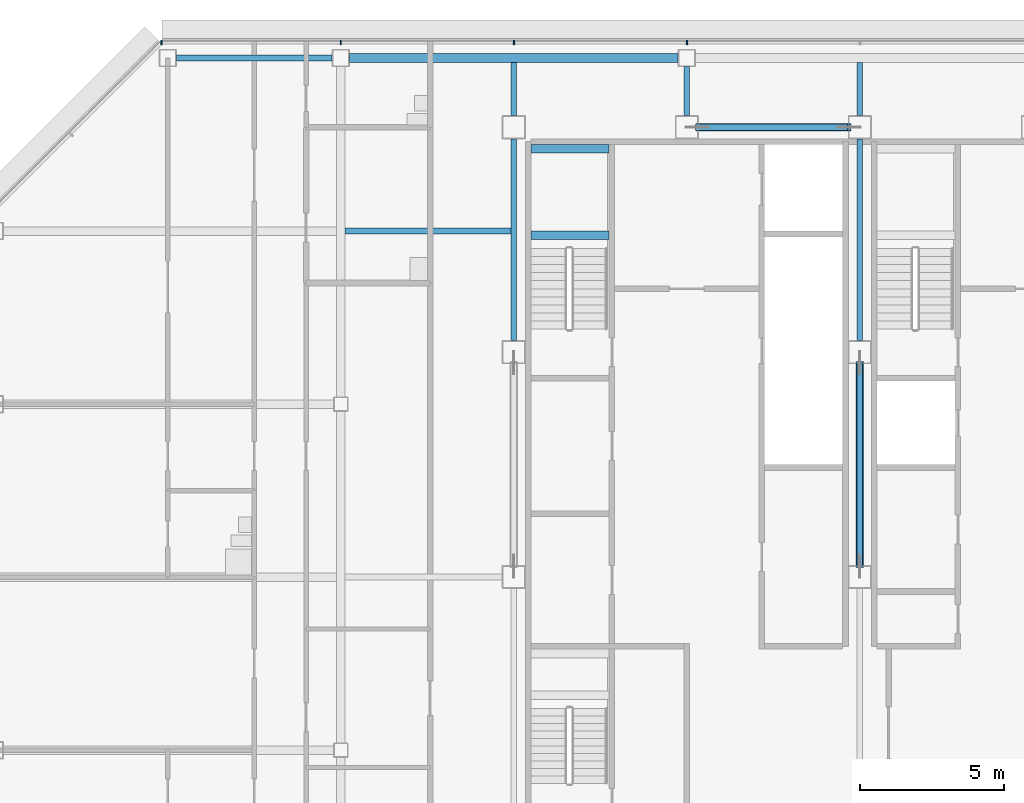
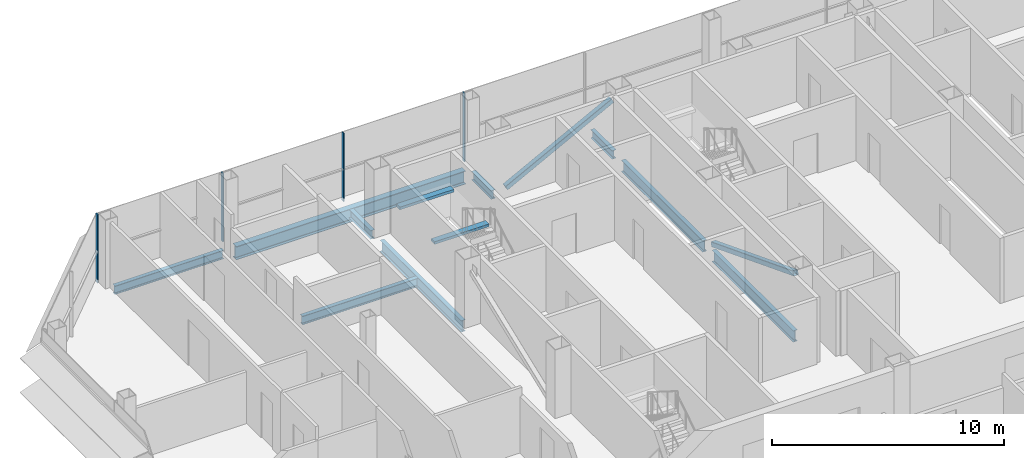
# One storey, part 13 of 28: 11 beams, 6 members, 1 element without a shape of its own.
"""IFC4 building model written with IfcOpenShell, lengths in metres."""

from ifc_helpers import new_model, si_unit, direction, frame, origin, origin_2d, place, context, subcontext, project, spatial, rectangle, hollow_rectangle, i_section, extrude, material, material_profile, profile_set, type_object, element, aggregate, save


model = new_model("IFC4")

# Units and contexts
model_context = context("Model", 3, precision=1e-05, world=origin(), true_north=direction((0.0, 1.0)))
body_context = subcontext(model_context, "Body", "Model", "MODEL_VIEW")
ifc_project = project(units=[si_unit("LENGTHUNIT", "METRE"), si_unit("AREAUNIT", "SQUARE_METRE"), si_unit("VOLUMEUNIT", "CUBIC_METRE"), si_unit("PLANEANGLEUNIT", "RADIAN"), si_unit("MASSUNIT", "GRAM", prefix="KILO")], contexts=[model_context])

# Site, building, storey
site_placement = place(None, origin())
site = spatial("IfcSite", under=ifc_project, at=site_placement, CompositionType="ELEMENT")
building_placement = place(site_placement, origin())
building = spatial("IfcBuilding", under=site, at=building_placement, Name="Sorahane Residences", CompositionType="ELEMENT")
storey_placement = place(building_placement, frame((0.0, 0.0, 270.199951171875)))
storey = spatial("IfcBuildingStorey", under=building, at=storey_placement, Name="L64", CompositionType="ELEMENT", Elevation=270.199951171875)

# Members
ifc_material_1 = material(Name="Steel Q355B", Category="steel")
ifc_material_profile_1 = material_profile(ifc_material_1, hollow_rectangle(XDim=0.25, YDim=0.25, WallThickness=0.013916015625, InnerFilletRadius=0.007080078125, OuterFilletRadius=0.02099609375, at=origin_2d()), Name="RHS 250x250x14")
ifc_profile_set_1 = profile_set([ifc_material_profile_1], Name="Steel Q355B")
member_type_1 = type_object("IfcMemberType", Name="Core brace RHS 250x250x14 Q355B", PredefinedType="BRACE", material=ifc_profile_set_1)
member_1_placement = place(storey_placement, frame((12.365234375, 45.60009765625, 0.10693359375), z_axis=(0.886099769192, 0.0, 0.46349455125), x_axis=(0.0, 1.0, 0.0)))
element("IfcMember", 1, at=member_1_placement, inside=storey, type_object=member_type_1, Name="Core brace L64 y45.6-2", PredefinedType="BRACE", context=body_context, shape_type="SweptSolid", body=[
    extrude(hollow_rectangle(XDim=0.25, YDim=0.25, WallThickness=0.013916015625, InnerFilletRadius=0.007080078125, OuterFilletRadius=0.02099609375, at=origin_2d()), origin(), (0.0, 0.0, 1.0), 5.94677734375),
])
member_2_placement = place(storey_placement, frame((18.0, 37.42724609375, 0.114501953125), z_axis=(0.0, -0.932102104456, 0.362195619617), x_axis=(1.0, 0.0, 0.0)))
element("IfcMember", 2, at=member_2_placement, inside=storey, type_object=member_type_1, Name="Core brace L64 x18-1", PredefinedType="BRACE", context=body_context, shape_type="SweptSolid", body=[
    extrude(hollow_rectangle(XDim=0.25, YDim=0.25, WallThickness=0.013916015625, InnerFilletRadius=0.007080078125, OuterFilletRadius=0.02099609375, at=origin_2d()), origin(), (0.0, 0.0, 1.0), 7.568359375),
])

# Curtain wall, members
ifc_material_2 = material(Name="Dark low-e glass and black anodised aluminium", Category="aluminium")
curtain_wall_type = type_object("IfcCurtainWallType", Name="Curtain wall CW-1 Typical unitised wall", PredefinedType="NOTDEFINED", material=ifc_material_2)
curtain_wall_placement = place(storey_placement, origin())
curtain_wall = element("IfcCurtainWall", 3, at=curtain_wall_placement, inside=storey, type_object=curtain_wall_type, Name="CW-1 curtain wall L64 N1", PredefinedType="NOTDEFINED")
ifc_material_3 = material(Name="Black anodised aluminium", Category="aluminium")
ifc_material_profile_2 = material_profile(ifc_material_3, rectangle(XDim=0.159912109375, YDim=0.050048828125, at=origin_2d()), Name="Curtain wall mullion CW-1 black anodised aluminium 50x160")
ifc_profile_set_2 = profile_set([ifc_material_profile_2], Name="Black anodised aluminium")
member_type_2 = type_object("IfcMemberType", Name="Curtain wall mullion CW-1 black anodised aluminium 50x160", PredefinedType="MULLION", material=ifc_profile_set_2)
member_3_placement = place(storey_placement, frame((12.0, 48.5400390625, -0.179931640625), z_axis=(0.0, 0.0, 1.0), x_axis=(0.0, 1.0, 0.0)))
member_3 = element("IfcMember", 4, at=member_3_placement, type_object=member_type_2, Name="CW-1 mullion L64 N1.7", PredefinedType="MULLION", context=body_context, shape_type="SweptSolid", body=[
    extrude(rectangle(XDim=0.159912109375, YDim=0.050048828125, at=origin_2d()), origin(), (0.0, 0.0, 1.0), 3.60009765625),
])
member_4_placement = place(storey_placement, frame((6.0, 48.5400390625, -0.179931640625), z_axis=(0.0, 0.0, 1.0), x_axis=(0.0, 1.0, 0.0)))
member_4 = element("IfcMember", 5, at=member_4_placement, type_object=member_type_2, Name="CW-1 mullion L64 N1.8", PredefinedType="MULLION", context=body_context, shape_type="SweptSolid", body=[
    extrude(rectangle(XDim=0.159912109375, YDim=0.050048828125, at=origin_2d()), origin(), (0.0, 0.0, 1.0), 3.60009765625),
])
member_5_placement = place(storey_placement, frame((0.0, 48.5400390625, -0.179931640625), z_axis=(0.0, 0.0, 1.0), x_axis=(0.0, 1.0, 0.0)))
member_5 = element("IfcMember", 6, at=member_5_placement, type_object=member_type_2, Name="CW-1 mullion L64 N1.9", PredefinedType="MULLION", context=body_context, shape_type="SweptSolid", body=[
    extrude(rectangle(XDim=0.159912109375, YDim=0.050048828125, at=origin_2d()), origin(), (0.0, 0.0, 1.0), 3.60009765625),
])
member_6_placement = place(storey_placement, frame((-6.2236328125, 48.5400390625, -0.179931640625), z_axis=(0.0, 0.0, 1.0), x_axis=(0.0, 1.0, 0.0)))
member_6 = element("IfcMember", 7, at=member_6_placement, type_object=member_type_2, Name="CW-1 mullion L64 N1.10", PredefinedType="MULLION", context=body_context, shape_type="SweptSolid", body=[
    extrude(rectangle(XDim=0.159912109375, YDim=0.050048828125, at=origin_2d()), origin(), (0.0, 0.0, 1.0), 3.60009765625),
])
aggregate(curtain_wall, [member_3, member_4, member_5, member_6])

# Beams
ifc_material_4 = material(Name="Concrete C40", Category="concrete")
ifc_material_profile_3 = material_profile(ifc_material_4, rectangle(XDim=0.300048828125, YDim=0.139892578125, at=origin_2d()), Name="300x140")
ifc_profile_set_3 = profile_set([ifc_material_profile_3], Name="Concrete C40")
beam_type_1 = type_object("IfcBeamType", Name="RC landing beam 300 x 140 Concrete C40", PredefinedType="BEAM", material=ifc_profile_set_3)
for number, where, z_axis, x_axis, name in (
    (8, (6.60009765625, 41.85009765625, 1.530029296875), (1.0, 0.0, 0.0), (0.0, 1.0, 0.0), "Landing beam"),
    (9, (6.60009765625, 44.85009765625, 1.530029296875), (1.0, 0.0, 0.0), (0.0, 1.0, 0.0), "Landing beam"),
):
    element("IfcBeam", number, at=place(storey_placement, frame(where, z_axis=z_axis, x_axis=x_axis)), inside=storey, type_object=beam_type_1, Name=name, PredefinedType="BEAM", context=body_context, shape_type="SweptSolid", body=[
        extrude(rectangle(XDim=0.300048828125, YDim=0.139892578125, at=origin_2d()), origin(), (0.0, 0.0, 1.0), 2.699951171875),
    ])
ifc_material_5 = material(Name="Steel Q355B", Category="steel")
ifc_material_profile_4 = material_profile(ifc_material_5, i_section(OverallWidth=0.199951171875, OverallDepth=0.449951171875, WebThickness=0.009033203125, FlangeThickness=0.013916015625, FilletRadius=0.02001953125, at=origin_2d()), Name="HN 450x200x9x14")
ifc_profile_set_4 = profile_set([ifc_material_profile_4], Name="Steel Q355B")
beam_type_2 = type_object("IfcBeamType", Name="Steel floor beam HN 450x200x9x14 Q355B", PredefinedType="BEAM", material=ifc_profile_set_4)
beam_1_placement = place(storey_placement, frame((-5.699951171875, 48.0, -0.405029296875), z_axis=(1.0, 0.0, 0.0), x_axis=(0.0, 1.0, 0.0)))
element("IfcBeam", 10, at=beam_1_placement, inside=storey, type_object=beam_type_2, Name="Beam L64 015", PredefinedType="BEAM", context=body_context, shape_type="SweptSolid", body=[
    extrude(i_section(OverallWidth=0.199951171875, OverallDepth=0.449951171875, WebThickness=0.009033203125, FlangeThickness=0.013916015625, FilletRadius=0.02001953125, at=origin_2d()), origin(), (0.0, 0.0, 1.0), 5.39990234375),
])
beam_2_placement = place(storey_placement, frame((6.0, 46.0, -0.405029296875), z_axis=(0.0, 1.0, 0.0), x_axis=(-1.0, 0.0, 0.0)))
element("IfcBeam", 11, at=beam_2_placement, inside=storey, type_object=beam_type_2, Name="Beam L64 033", PredefinedType="BEAM", context=body_context, shape_type="SweptSolid", body=[
    extrude(i_section(OverallWidth=0.199951171875, OverallDepth=0.449951171875, WebThickness=0.009033203125, FlangeThickness=0.013916015625, FilletRadius=0.02001953125, at=origin_2d()), origin(), (0.0, 0.0, 1.0), 1.85009765625),
])
beam_3_placement = place(storey_placement, frame((12.0, 46.0, -0.405029296875), z_axis=(0.0, 1.0, 0.0), x_axis=(-1.0, 0.0, 0.0)))
element("IfcBeam", 12, at=beam_3_placement, inside=storey, type_object=beam_type_2, Name="Beam L64 035", PredefinedType="BEAM", context=body_context, shape_type="SweptSolid", body=[
    extrude(i_section(OverallWidth=0.199951171875, OverallDepth=0.449951171875, WebThickness=0.009033203125, FlangeThickness=0.013916015625, FilletRadius=0.02001953125, at=origin_2d()), origin(), (0.0, 0.0, 1.0), 1.699951171875),
])
beam_4_placement = place(storey_placement, frame((18.0, 46.0, -0.405029296875), z_axis=(0.0, 1.0, 0.0), x_axis=(-1.0, 0.0, 0.0)))
element("IfcBeam", 13, at=beam_4_placement, inside=storey, type_object=beam_type_2, Name="Beam L64 041", PredefinedType="BEAM", context=body_context, shape_type="SweptSolid", body=[
    extrude(i_section(OverallWidth=0.199951171875, OverallDepth=0.449951171875, WebThickness=0.009033203125, FlangeThickness=0.013916015625, FilletRadius=0.02001953125, at=origin_2d()), origin(), (0.0, 0.0, 1.0), 1.85009765625),
])
beam_5_placement = place(storey_placement, frame((0.14990234375, 42.0, -0.405029296875), z_axis=(1.0, 0.0, 0.0), x_axis=(0.0, 1.0, 0.0)))
element("IfcBeam", 14, at=beam_5_placement, inside=storey, type_object=beam_type_2, Name="Beam L64 090", PredefinedType="BEAM", context=body_context, shape_type="SweptSolid", body=[
    extrude(i_section(OverallWidth=0.199951171875, OverallDepth=0.449951171875, WebThickness=0.009033203125, FlangeThickness=0.013916015625, FilletRadius=0.02001953125, at=origin_2d()), origin(), (0.0, 0.0, 1.0), 5.75),
])
ifc_material_6 = material(Name="Steel Q355B", Category="steel")
ifc_material_profile_5 = material_profile(ifc_material_6, i_section(OverallWidth=0.199951171875, OverallDepth=0.60009765625, WebThickness=0.010986328125, FlangeThickness=0.01708984375, FilletRadius=0.02392578125, at=origin_2d()), Name="HN 600x200x11x17")
ifc_profile_set_5 = profile_set([ifc_material_profile_5], Name="Steel Q355B")
beam_type_3 = type_object("IfcBeamType", Name="Steel floor beam HN 600x200x11x17 Q355B", PredefinedType="BEAM", material=ifc_profile_set_5)
for number, where, z_axis, x_axis, name in (
    (15, (6.0, 38.199951171875, -0.47998046875), (0.0, 1.0, 0.0), (-1.0, 0.0, 0.0), "Beam L64 032"),
    (16, (18.0, 30.39990234375, -0.47998046875), (0.0, 1.0, 0.0), (-1.0, 0.0, 0.0), "Beam L64 039"),
    (17, (18.0, 38.199951171875, -0.47998046875), (0.0, 1.0, 0.0), (-1.0, 0.0, 0.0), "Beam L64 040"),
):
    element("IfcBeam", number, at=place(storey_placement, frame(where, z_axis=z_axis, x_axis=x_axis)), inside=storey, type_object=beam_type_3, Name=name, PredefinedType="BEAM", context=body_context, shape_type="SweptSolid", body=[
        extrude(i_section(OverallWidth=0.199951171875, OverallDepth=0.60009765625, WebThickness=0.010986328125, FlangeThickness=0.01708984375, FilletRadius=0.02392578125, at=origin_2d()), origin(), (0.0, 0.0, 1.0), 7.0),
    ])
ifc_material_7 = material(Name="Steel Q355B", Category="steel")
ifc_material_profile_6 = material_profile(ifc_material_7, i_section(OverallWidth=0.300048828125, OverallDepth=0.699951171875, WebThickness=0.012939453125, FlangeThickness=0.02392578125, FilletRadius=0.028076171875, at=origin_2d()), Name="HN 700x300x13x24")
ifc_profile_set_6 = profile_set([ifc_material_profile_6], Name="Steel Q355B")
beam_type_4 = type_object("IfcBeamType", Name="Steel floor beam HN 700x300x13x24 Q355B", PredefinedType="BEAM", material=ifc_profile_set_6)
beam_6_placement = place(storey_placement, frame((0.300048828125, 48.0, -0.530029296875), z_axis=(1.0, 0.0, 0.0), x_axis=(0.0, 1.0, 0.0)))
element("IfcBeam", 18, at=beam_6_placement, inside=storey, type_object=beam_type_4, Name="Beam L64 016", PredefinedType="BEAM", context=body_context, shape_type="SweptSolid", body=[
    extrude(i_section(OverallWidth=0.300048828125, OverallDepth=0.699951171875, WebThickness=0.012939453125, FlangeThickness=0.02392578125, FilletRadius=0.028076171875, at=origin_2d()), origin(), (0.0, 0.0, 1.0), 11.39990234375),
])

save(model, "model.ifc")
